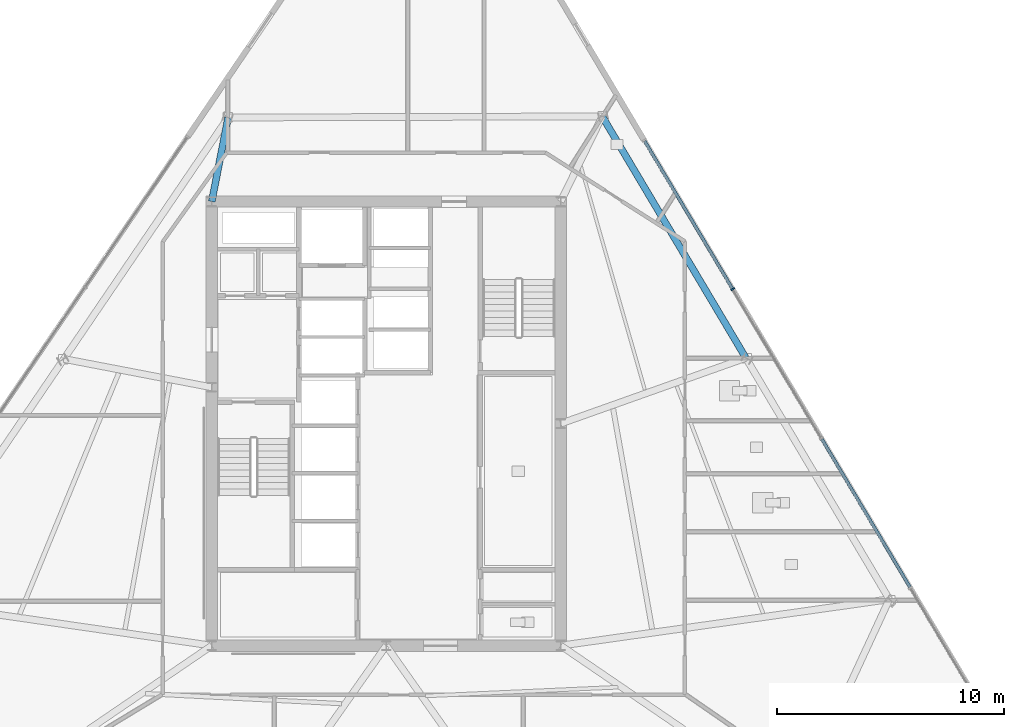
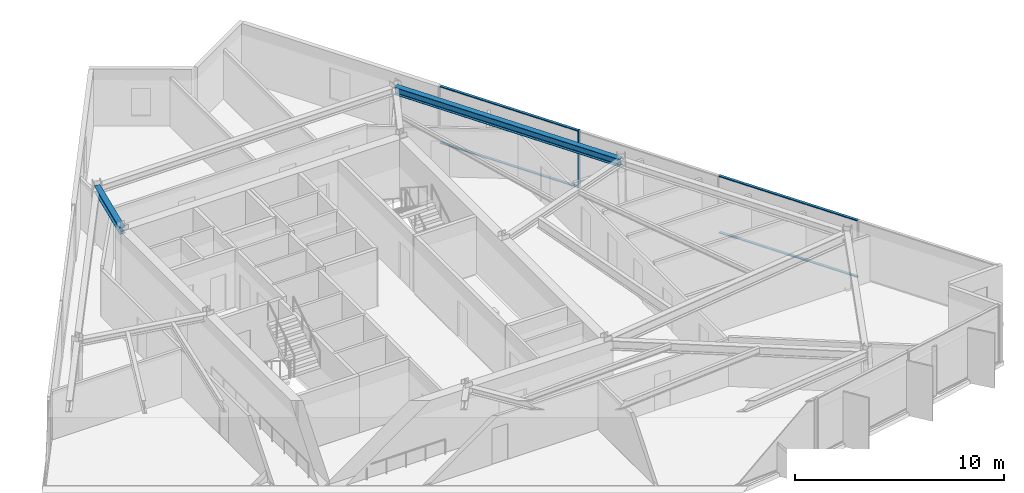
# One storey, part 5 of 15: 5 members, 2 beams, 1 element without a shape of its own.
"""IFC4 building model written with IfcOpenShell, lengths in metres."""

from ifc_helpers import new_model, si_unit, direction, frame, origin, origin_2d, place, context, subcontext, project, spatial, rectangle, i_section, extrude, material, material_profile, profile_set, type_object, element, aggregate, save


model = new_model("IFC4")

# Units and contexts
model_context = context("Model", 3, precision=1e-05, world=origin(), true_north=direction((0.0, 1.0)))
body_context = subcontext(model_context, "Body", "Model", "MODEL_VIEW")
ifc_project = project(units=[si_unit("LENGTHUNIT", "METRE"), si_unit("AREAUNIT", "SQUARE_METRE"), si_unit("VOLUMEUNIT", "CUBIC_METRE"), si_unit("PLANEANGLEUNIT", "RADIAN"), si_unit("MASSUNIT", "GRAM", prefix="KILO")], contexts=[model_context])

# Site, building, storey
site_placement = place(None, origin())
site = spatial("IfcSite", under=ifc_project, at=site_placement, CompositionType="ELEMENT")
building_placement = place(site_placement, origin())
building = spatial("IfcBuilding", under=site, at=building_placement, Name="Savorim Split Tower", CompositionType="ELEMENT")
storey_placement = place(building_placement, frame((0.0, 0.0, 142.199951171875)))
storey = spatial("IfcBuildingStorey", under=building, at=storey_placement, Name="L37", CompositionType="ELEMENT", Elevation=142.199951171875)

# Beams
ifc_material_1 = material(Name="Steel S355", Category="steel")
ifc_material_profile_1 = material_profile(ifc_material_1, i_section(OverallWidth=0.300048828125, OverallDepth=0.360107421875, WebThickness=0.012451171875, FlangeThickness=0.0224609375, FilletRadius=0.027099609375, at=origin_2d()), Name="HEB 360")
ifc_profile_set_1 = profile_set([ifc_material_profile_1], Name="Steel S355")
beam_type_1 = type_object("IfcBeamType", Name="BM-PRI-HEB360", PredefinedType="BEAM", material=ifc_profile_set_1)
beam_1_placement = place(storey_placement, frame((-6.977783203125, 13.908447265625, 3.170166015625), z_axis=(-0.191142925107, -0.981562215135, 0.0), x_axis=(0.981562215135, -0.191142925107, 0.0)))
element("IfcBeam", 1, at=beam_1_placement, inside=storey, type_object=beam_type_1, Name="L37 Primary Floor Girder RG-08", PredefinedType="BEAM", context=body_context, shape_type="SweptSolid", body=[
    extrude(i_section(OverallWidth=0.300048828125, OverallDepth=0.360107421875, WebThickness=0.012451171875, FlangeThickness=0.0224609375, FilletRadius=0.027099609375, at=origin_2d()), origin(), (0.0, 0.0, 1.0), 3.778076171875),
])
ifc_material_profile_2 = material_profile(ifc_material_1, i_section(OverallWidth=0.300048828125, OverallDepth=0.43994140625, WebThickness=0.011474609375, FlangeThickness=0.02099609375, FilletRadius=0.027099609375, at=origin_2d()), Name="HEA 450")
ifc_profile_set_2 = profile_set([ifc_material_profile_2], Name="Steel S355")
beam_type_2 = type_object("IfcBeamType", Name="BM-SPN-HEA450", PredefinedType="SPANDREL", material=ifc_profile_set_2)
beam_2_placement = place(storey_placement, frame((15.86865234375, 3.302001953125, 3.130126953125), z_axis=(-0.511097414224, 0.859522793865, 0.0), x_axis=(-0.859522793865, -0.511097414224, 0.0)))
element("IfcBeam", 2, at=beam_2_placement, inside=storey, type_object=beam_type_2, Name="L37 Perimeter Spandrel Beam 6", PredefinedType="SPANDREL", context=body_context, shape_type="SweptSolid", body=[
    extrude(i_section(OverallWidth=0.300048828125, OverallDepth=0.43994140625, WebThickness=0.011474609375, FlangeThickness=0.02099609375, FilletRadius=0.027099609375, at=origin_2d()), origin(), (0.0, 0.0, 1.0), 12.396728515625),
])

# Curtain wall, members
ifc_material_2 = material(Name="Dark Ceramic-Fritted Insulated Glass", Category="glass")
curtain_wall_type = type_object("IfcCurtainWallType", Name="CW-TWR-FRIT-A", PredefinedType="NOTDEFINED", material=ifc_material_2)
curtain_wall_placement = place(storey_placement, origin())
curtain_wall = element("IfcCurtainWall", 3, at=curtain_wall_placement, inside=storey, type_object=curtain_wall_type, Name="L37 Curtain Wall CW-L37-EAST", PredefinedType="NOTDEFINED")
ifc_material_3 = material(Name="Charcoal Anodised Aluminium", Category="aluminium")
ifc_material_profile_3 = material_profile(ifc_material_3, rectangle(XDim=0.179931640625, YDim=0.06494140625, at=origin_2d()), Name="ALU-M 180x65")
ifc_profile_set_3 = profile_set([ifc_material_profile_3], Name="Charcoal Anodised Aluminium")
member_type_1 = type_object("IfcMemberType", Name="CWM-180x65", PredefinedType="MULLION", material=ifc_profile_set_3)
member_1_placement = place(storey_placement, frame((15.2900390625, 6.334228515625, 0.0), z_axis=(0.0, 0.0, 1.0), x_axis=(-0.859526328423, -0.511091470039, 0.0)))
member_1 = element("IfcMember", 4, at=member_1_placement, type_object=member_type_1, Name="CW-02 mullion 4", PredefinedType="MULLION", context=body_context, shape_type="SweptSolid", body=[
    extrude(rectangle(XDim=0.179931640625, YDim=0.06494140625, at=origin_2d()), origin(), (0.0, 0.0, 1.0), 3.35009765625),
])
ifc_material_profile_4 = material_profile(ifc_material_3, rectangle(XDim=0.139892578125, YDim=0.054931640625, at=origin_2d()), Name="ALU-T 140x55")
ifc_profile_set_4 = profile_set([ifc_material_profile_4], Name="Charcoal Anodised Aluminium")
member_type_2 = type_object("IfcMemberType", Name="CWT-140x55", PredefinedType="USERDEFINED", material=ifc_profile_set_4)
member_2_placement = place(storey_placement, frame((23.11279296875, -6.821533203125, 0.027587890625), z_axis=(-0.511101677257, 0.859520258926, 0.0), x_axis=(-0.859520258926, -0.511101677257, 0.0)))
member_2 = element("IfcMember", 5, at=member_2_placement, type_object=member_type_2, Name="CW-02 transom 2.1", ObjectType="TRANSOM", PredefinedType="USERDEFINED", context=body_context, shape_type="SweptSolid", body=[
    extrude(rectangle(XDim=0.139892578125, YDim=0.054931640625, at=origin_2d()), origin(), (0.0, 0.0, 1.0), 7.60400390625),
])
member_3_placement = place(storey_placement, frame((23.11279296875, -6.821533203125, 3.322509765625), z_axis=(-0.511101677257, 0.859520258926, 0.0), x_axis=(-0.859520258926, -0.511101677257, 0.0)))
member_3 = element("IfcMember", 6, at=member_3_placement, type_object=member_type_2, Name="CW-02 transom 2.2", ObjectType="TRANSOM", PredefinedType="USERDEFINED", context=body_context, shape_type="SweptSolid", body=[
    extrude(rectangle(XDim=0.139892578125, YDim=0.054931640625, at=origin_2d()), origin(), (0.0, 0.0, 1.0), 7.60400390625),
])
member_4_placement = place(storey_placement, frame((15.2734375, 6.3623046875, 0.027587890625), z_axis=(-0.511096639182, 0.859523254727, 0.0), x_axis=(-0.859523254727, -0.511096639182, 0.0)))
member_4 = element("IfcMember", 7, at=member_4_placement, type_object=member_type_2, Name="CW-02 transom 4.1", ObjectType="TRANSOM", PredefinedType="USERDEFINED", context=body_context, shape_type="SweptSolid", body=[
    extrude(rectangle(XDim=0.139892578125, YDim=0.054931640625, at=origin_2d()), origin(), (0.0, 0.0, 1.0), 7.57177734375),
])
member_5_placement = place(storey_placement, frame((15.2734375, 6.3623046875, 3.322509765625), z_axis=(-0.511096639182, 0.859523254727, 0.0), x_axis=(-0.859523254727, -0.511096639182, 0.0)))
member_5 = element("IfcMember", 8, at=member_5_placement, type_object=member_type_2, Name="CW-02 transom 4.2", ObjectType="TRANSOM", PredefinedType="USERDEFINED", context=body_context, shape_type="SweptSolid", body=[
    extrude(rectangle(XDim=0.139892578125, YDim=0.054931640625, at=origin_2d()), origin(), (0.0, 0.0, 1.0), 7.57177734375),
])
aggregate(curtain_wall, [member_1, member_2, member_3, member_4, member_5])

save(model, "model.ifc")
